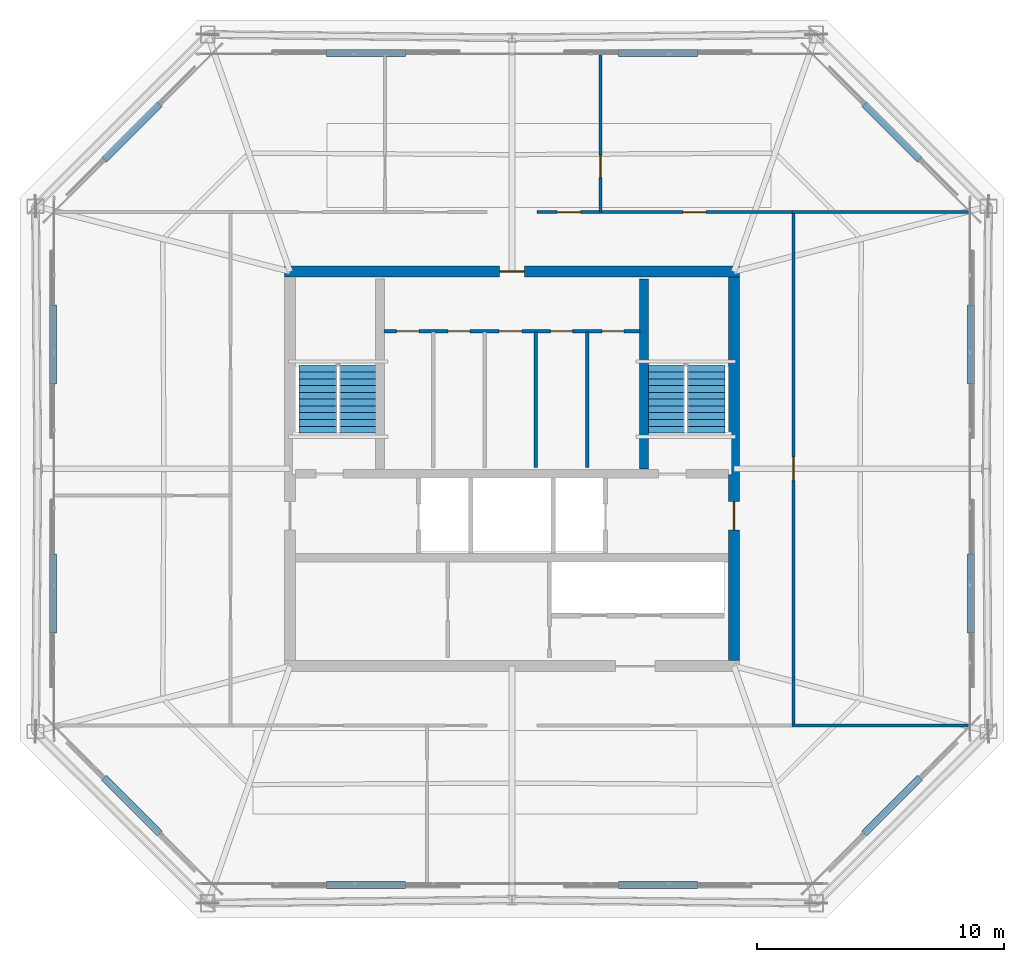
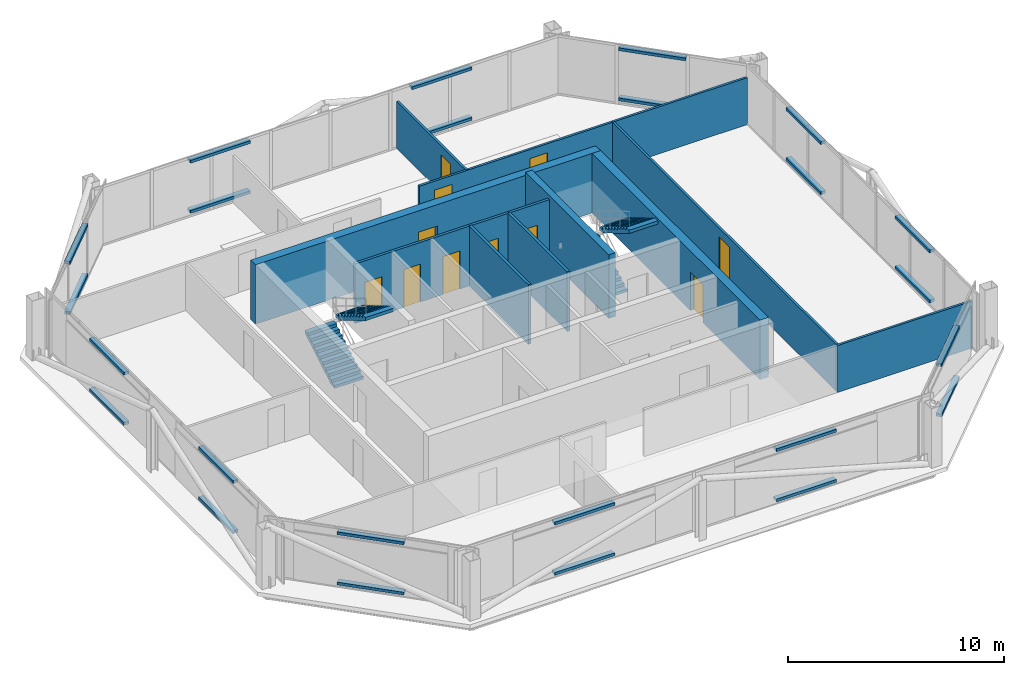
# One storey, part 24 of 26: 24 discrete accessories, 11 doors, 11 walls, 4 stair flights, 11 openings, 2 elements without a shape of their own.
"""IFC4 building model written with IfcOpenShell, lengths in metres."""

from ifc_helpers import new_model, si_unit, direction, frame, frame_2d, origin, origin_2d, place, context, subcontext, project, spatial, polyline, rectangle, outline, extrude, material, layer, layer_set, type_object, element, fill, aggregate, save


model = new_model("IFC4")

# Units and contexts
model_context = context("Model", 3, precision=1e-05, world=origin(), true_north=direction((0.0, 1.0)))
body_context = subcontext(model_context, "Body", "Model", "MODEL_VIEW")
ifc_project = project(units=[si_unit("LENGTHUNIT", "METRE"), si_unit("AREAUNIT", "SQUARE_METRE"), si_unit("VOLUMEUNIT", "CUBIC_METRE"), si_unit("PLANEANGLEUNIT", "RADIAN"), si_unit("MASSUNIT", "GRAM", prefix="KILO")], contexts=[model_context])

# Site, building, storey
site_placement = place(None, origin())
site = spatial("IfcSite", under=ifc_project, at=site_placement, CompositionType="ELEMENT")
building_placement = place(site_placement, origin())
building = spatial("IfcBuilding", under=site, at=building_placement, Name="Caelvoria Tower", CompositionType="ELEMENT")
storey_placement = place(building_placement, frame((0.0, 0.0, 239.39990234375)))
storey = spatial("IfcBuildingStorey", under=building, at=storey_placement, Name="L63", CompositionType="ELEMENT", Elevation=239.39990234375)

# Walls
ifc_material_1 = material(Name="Concrete C50/60", Category="concrete")
ifc_layer_1 = layer(ifc_material_1, 0.35009765625, Name="Concrete C50/60")
ifc_layer_set_1 = layer_set([ifc_layer_1], Name="Core Internal Shear Wall 350 - Concrete C50/60")
wall_type_1 = type_object("IfcWallType", Name="Core Internal Shear Wall 350", PredefinedType="SHEAR", material=ifc_layer_set_1)
wall_1_placement = place(storey_placement, frame((51.35009765625, 32.0, 0.0), z_axis=(0.0, 0.0, 1.0), x_axis=(0.0, 1.0, 0.0)))
element("IfcWall", 1, at=wall_1_placement, inside=storey, type_object=wall_type_1, Name="Interior Partition IW-L63-ST2W", PredefinedType="SHEAR", context=body_context, shape_type="SweptSolid", body=[
    extrude(rectangle(XDim=7.699951171875, YDim=0.35009765625, at=frame_2d((3.85009765625, 0.0))), origin(), (0.0, 0.0, 1.0), 3.60009765625),
])
ifc_material_2 = material(Name="Moisture-Resistant Gypsum on Steel Stud", Category="steel")
ifc_layer_2 = layer(ifc_material_2, 0.139892578125, Name="Moisture-Resistant Gypsum on Steel Stud")
ifc_layer_set_2 = layer_set([ifc_layer_2], Name="Core Sanitary Acoustic Partition Wall 140 - Moisture-Resistant Gypsum on Steel Stud")
wall_type_2 = type_object("IfcWallType", Name="Core Sanitary Acoustic Partition Wall 140", PredefinedType="PARTITIONING", material=ifc_layer_set_2)
for number, where, z_axis, x_axis, name in (
    (2, (46.969970703125, 32.050048828125, 0.0), (0.0, 0.0, 1.0), (0.0, 1.0, 0.0), "Interior Partition IW-L63-C1V2"),
    (3, (49.050048828125, 32.050048828125, 0.0), (0.0, 0.0, 1.0), (0.0, 1.0, 0.0), "Interior Partition IW-L63-C1V3"),
):
    element("IfcWall", number, at=place(storey_placement, frame(where, z_axis=z_axis, x_axis=x_axis)), inside=storey, type_object=wall_type_2, Name=name, PredefinedType="PARTITIONING", context=body_context, shape_type="SweptSolid", body=[
        extrude(rectangle(XDim=5.5, YDim=0.139892578125, at=frame_2d((2.75, 0.0))), origin(), (0.0, 0.0, 1.0), 3.375),
    ])

# Wall, openings, doors
wall_2_placement = place(storey_placement, frame((40.800048828125, 37.580078125, 0.0), z_axis=(0.0, 0.0, 1.0), x_axis=(1.0, 0.0, 0.0)))
wall_2 = element("IfcWall", 4, at=wall_2_placement, inside=storey, type_object=wall_type_2, Name="Interior Partition IW-L63-C1H", PredefinedType="PARTITIONING", context=body_context, shape_type="SweptSolid", body=[
    extrude(rectangle(XDim=10.39990234375, YDim=0.139892578125, at=frame_2d((5.199951171875, 0.0))), origin(), (0.0, 0.0, 1.0), 3.375),
])
opening_1_placement = place(wall_2_placement, frame((0.52001953125, 0.0, 0.0)))
opening_1 = element("IfcOpeningElement", 5, at=opening_1_placement, cuts=wall_2, Name="Opening ID-06", PredefinedType="OPENING", context=body_context, shape_type="SweptSolid", body=[
    extrude(rectangle(XDim=0.89990234375, YDim=2.14990234375, at=frame_2d((0.449951171875, 1.074951171875))), frame((0.0, 0.079833984375, 0.0), z_axis=(0.0, -1.0, 0.0), x_axis=(1.0, 0.0, 0.0)), (0.0, 0.0, 1.0), 0.159912109375),
])
opening_2_placement = place(wall_2_placement, frame((2.60009765625, 0.0, 0.0)))
opening_2 = element("IfcOpeningElement", 6, at=opening_2_placement, cuts=wall_2, Name="Opening ID-06", PredefinedType="OPENING", context=body_context, shape_type="SweptSolid", body=[
    extrude(rectangle(XDim=0.89990234375, YDim=2.14990234375, at=frame_2d((0.449951171875, 1.074951171875))), frame((0.0, 0.079833984375, 0.0), z_axis=(0.0, -1.0, 0.0), x_axis=(1.0, 0.0, 0.0)), (0.0, 0.0, 1.0), 0.159912109375),
])
opening_3_placement = place(wall_2_placement, frame((4.679931640625, 0.0, 0.0)))
opening_3 = element("IfcOpeningElement", 7, at=opening_3_placement, cuts=wall_2, Name="Opening ID-07", PredefinedType="OPENING", context=body_context, shape_type="SweptSolid", body=[
    extrude(rectangle(XDim=0.919921875, YDim=2.14990234375, at=frame_2d((0.4599609375, 1.074951171875))), frame((0.0, 0.079833984375, 0.0), z_axis=(0.0, -1.0, 0.0), x_axis=(1.0, 0.0, 0.0)), (0.0, 0.0, 1.0), 0.159912109375),
])
opening_4_placement = place(wall_2_placement, frame((6.760009765625, 0.0, 0.0)))
opening_4 = element("IfcOpeningElement", 8, at=opening_4_placement, cuts=wall_2, Name="Opening ID-06", PredefinedType="OPENING", context=body_context, shape_type="SweptSolid", body=[
    extrude(rectangle(XDim=0.89990234375, YDim=2.14990234375, at=frame_2d((0.449951171875, 1.074951171875))), frame((0.0, 0.079833984375, 0.0), z_axis=(0.0, -1.0, 0.0), x_axis=(1.0, 0.0, 0.0)), (0.0, 0.0, 1.0), 0.159912109375),
])
opening_5_placement = place(wall_2_placement, frame((8.840087890625, 0.0, 0.0)))
opening_5 = element("IfcOpeningElement", 9, at=opening_5_placement, cuts=wall_2, Name="Opening ID-06", PredefinedType="OPENING", context=body_context, shape_type="SweptSolid", body=[
    extrude(rectangle(XDim=0.89990234375, YDim=2.14990234375, at=frame_2d((0.449951171875, 1.074951171875))), frame((0.0, 0.079833984375, 0.0), z_axis=(0.0, -1.0, 0.0), x_axis=(1.0, 0.0, 0.0)), (0.0, 0.0, 1.0), 0.159912109375),
])
ifc_material_3 = material(Name="Engineered Andean Oak Accessible Door", Category="wood")
door_type_1 = type_object("IfcDoorType", Name="Accessible WC Door 950x2150", OperationType="NOTDEFINED", PredefinedType="DOOR", material=ifc_material_3)
door_1_placement = place(opening_3_placement, origin())
door_1 = element("IfcDoor", 10, at=door_1_placement, inside=storey, type_object=door_type_1, Name="Interior Door DR-L63-C1-3", OperationType="SINGLE_SWING_LEFT", OverallHeight=2.14990234375, OverallWidth=0.919921875, PredefinedType="DOOR", context=body_context, shape_type="SweptSolid", body=[
    extrude(rectangle(XDim=0.919921875, YDim=2.14990234375, at=frame_2d((0.4599609375, 1.074951171875))), frame((0.0, 0.02490234375, 0.0), z_axis=(0.0, -1.0, 0.0), x_axis=(1.0, 0.0, 0.0)), (0.0, 0.0, 1.0), 0.050048828125),
])
fill(opening_3, door_1)
ifc_material_4 = material(Name="Engineered Andean Oak Veneer Door", Category="wood")
door_type_2 = type_object("IfcDoorType", Name="Interior Timber Door 900x2150", OperationType="NOTDEFINED", PredefinedType="DOOR", material=ifc_material_4)
door_2_placement = place(opening_1_placement, origin())
door_2 = element("IfcDoor", 11, at=door_2_placement, inside=storey, type_object=door_type_2, Name="Interior Door DR-L63-C1-1", OperationType="SINGLE_SWING_LEFT", OverallHeight=2.14990234375, OverallWidth=0.89990234375, PredefinedType="DOOR", context=body_context, shape_type="SweptSolid", body=[
    extrude(rectangle(XDim=0.89990234375, YDim=2.14990234375, at=frame_2d((0.449951171875, 1.074951171875))), frame((0.0, 0.02490234375, 0.0), z_axis=(0.0, -1.0, 0.0), x_axis=(1.0, 0.0, 0.0)), (0.0, 0.0, 1.0), 0.050048828125),
])
fill(opening_1, door_2)
door_3_placement = place(opening_2_placement, origin())
door_3 = element("IfcDoor", 12, at=door_3_placement, inside=storey, type_object=door_type_2, Name="Interior Door DR-L63-C1-2", OperationType="SINGLE_SWING_RIGHT", OverallHeight=2.14990234375, OverallWidth=0.89990234375, PredefinedType="DOOR", context=body_context, shape_type="SweptSolid", body=[
    extrude(rectangle(XDim=0.89990234375, YDim=2.14990234375, at=frame_2d((0.449951171875, 1.074951171875))), frame((0.0, 0.02490234375, 0.0), z_axis=(0.0, -1.0, 0.0), x_axis=(1.0, 0.0, 0.0)), (0.0, 0.0, 1.0), 0.050048828125),
])
fill(opening_2, door_3)
door_4_placement = place(opening_4_placement, origin())
door_4 = element("IfcDoor", 13, at=door_4_placement, inside=storey, type_object=door_type_2, Name="Interior Door DR-L63-C1-4", OperationType="SINGLE_SWING_RIGHT", OverallHeight=2.14990234375, OverallWidth=0.89990234375, PredefinedType="DOOR", context=body_context, shape_type="SweptSolid", body=[
    extrude(rectangle(XDim=0.89990234375, YDim=2.14990234375, at=frame_2d((0.449951171875, 1.074951171875))), frame((0.0, 0.02490234375, 0.0), z_axis=(0.0, -1.0, 0.0), x_axis=(1.0, 0.0, 0.0)), (0.0, 0.0, 1.0), 0.050048828125),
])
fill(opening_4, door_4)
door_5_placement = place(opening_5_placement, origin())
door_5 = element("IfcDoor", 14, at=door_5_placement, inside=storey, type_object=door_type_2, Name="Interior Door DR-L63-C1-5", OperationType="SINGLE_SWING_LEFT", OverallHeight=2.14990234375, OverallWidth=0.89990234375, PredefinedType="DOOR", context=body_context, shape_type="SweptSolid", body=[
    extrude(rectangle(XDim=0.89990234375, YDim=2.14990234375, at=frame_2d((0.449951171875, 1.074951171875))), frame((0.0, 0.02490234375, 0.0), z_axis=(0.0, -1.0, 0.0), x_axis=(1.0, 0.0, 0.0)), (0.0, 0.0, 1.0), 0.050048828125),
])
fill(opening_5, door_5)

# Wall, opening, door
ifc_material_5 = material(Name="Acoustic Gypsum Board on Light-Gauge Stud", Category="gypsum")
ifc_layer_3 = layer(ifc_material_5, 0.1201171875, Name="Acoustic Gypsum Board on Light-Gauge Stud")
ifc_layer_set_3 = layer_set([ifc_layer_3], Name="Tenant Suite Acoustic Partition Wall 120 - Acoustic Gypsum Board on Light-Gauge Stud")
wall_type_3 = type_object("IfcWallType", Name="Tenant Suite Acoustic Partition Wall 120", PredefinedType="PARTITIONING", material=ifc_layer_set_3)
wall_3_placement = place(storey_placement, frame((49.589599609375, 42.409912109375, 0.0), z_axis=(0.0, 0.0, 1.0), x_axis=(0.0, 1.0, 0.0)))
wall_3 = element("IfcWall", 15, at=wall_3_placement, inside=storey, type_object=wall_type_3, Name="Interior Partition IW-L63-ND-01-0", PredefinedType="PARTITIONING", context=body_context, shape_type="SweptSolid", body=[
    extrude(rectangle(XDim=6.41015625, YDim=0.1201171875, at=frame_2d((3.205078125, 0.0))), origin(), (0.0, 0.0, 1.0), 2.655029296875),
])
opening_6_placement = place(wall_3_placement, frame((1.39990234375, 0.0, 0.0)))
opening_6 = element("IfcOpeningElement", 16, at=opening_6_placement, cuts=wall_3, Name="Opening ID-06", PredefinedType="OPENING", context=body_context, shape_type="SweptSolid", body=[
    extrude(rectangle(XDim=0.89990234375, YDim=2.14990234375, at=frame_2d((0.449951171875, 1.074951171875))), frame((0.0, 0.070068359375, 0.0), z_axis=(0.0, -1.0, 0.0), x_axis=(1.0, 0.0, 0.0)), (0.0, 0.0, 1.0), 0.14013671875),
])
door_6_placement = place(opening_6_placement, origin())
door_6 = element("IfcDoor", 17, at=door_6_placement, inside=storey, type_object=door_type_2, Name="Interior Door DR-L63-NM-01-0", OperationType="SINGLE_SWING_LEFT", OverallHeight=2.14990234375, OverallWidth=0.89990234375, PredefinedType="DOOR", context=body_context, shape_type="SweptSolid", body=[
    extrude(rectangle(XDim=0.89990234375, YDim=2.14990234375, at=frame_2d((0.449951171875, 1.074951171875))), frame((0.0, 0.02490234375, 0.0), z_axis=(0.0, -1.0, 0.0), x_axis=(1.0, 0.0, 0.0)), (0.0, 0.0, 1.0), 0.050048828125),
])
fill(opening_6, door_6)

# Wall, openings, doors
wall_4_placement = place(storey_placement, frame((47.02001953125, 42.409912109375, 0.0), z_axis=(0.0, 0.0, 1.0), x_axis=(1.0, 0.0, 0.0)))
wall_4 = element("IfcWall", 18, at=wall_4_placement, inside=storey, type_object=wall_type_3, Name="Interior Partition IW-L63-NCW-1", PredefinedType="PARTITIONING", context=body_context, shape_type="SweptSolid", body=[
    extrude(rectangle(XDim=10.330078125, YDim=0.1201171875, at=frame_2d((5.1650390625, 0.0))), origin(), (0.0, 0.0, 1.0), 2.655029296875),
])
opening_7_placement = place(wall_4_placement, frame((0.809814453125, 0.0, 0.0)))
opening_7 = element("IfcOpeningElement", 19, at=opening_7_placement, cuts=wall_4, Name="Opening ID-05", PredefinedType="OPENING", context=body_context, shape_type="SweptSolid", body=[
    extrude(rectangle(XDim=0.949951171875, YDim=2.14990234375, at=frame_2d((0.47509765625, 1.074951171875))), frame((0.0, 0.070068359375, 0.0), z_axis=(0.0, -1.0, 0.0), x_axis=(1.0, 0.0, 0.0)), (0.0, 0.0, 1.0), 0.14013671875),
])
opening_8_placement = place(wall_4_placement, frame((5.90478515625, 0.0, 0.0)))
opening_8 = element("IfcOpeningElement", 20, at=opening_8_placement, cuts=wall_4, Name="Opening ID-05", PredefinedType="OPENING", context=body_context, shape_type="SweptSolid", body=[
    extrude(rectangle(XDim=0.949951171875, YDim=2.14990234375, at=frame_2d((0.47509765625, 1.074951171875))), frame((0.0, 0.070068359375, 0.0), z_axis=(0.0, -1.0, 0.0), x_axis=(1.0, 0.0, 0.0)), (0.0, 0.0, 1.0), 0.14013671875),
])
door_type_3 = type_object("IfcDoorType", Name="Interior Timber Door 950x2150", OperationType="NOTDEFINED", PredefinedType="DOOR", material=ifc_material_4)
door_7_placement = place(opening_7_placement, origin())
door_7 = element("IfcDoor", 21, at=door_7_placement, inside=storey, type_object=door_type_3, Name="Interior Door DR-L63-NC-01-1", OperationType="SINGLE_SWING_RIGHT", OverallHeight=2.14990234375, OverallWidth=0.949951171875, PredefinedType="DOOR", context=body_context, shape_type="SweptSolid", body=[
    extrude(rectangle(XDim=0.949951171875, YDim=2.14990234375, at=frame_2d((0.47509765625, 1.074951171875))), frame((0.0, 0.02490234375, 0.0), z_axis=(0.0, -1.0, 0.0), x_axis=(1.0, 0.0, 0.0)), (0.0, 0.0, 1.0), 0.050048828125),
])
fill(opening_7, door_7)
door_8_placement = place(opening_8_placement, origin())
door_8 = element("IfcDoor", 22, at=door_8_placement, inside=storey, type_object=door_type_3, Name="Interior Door DR-L63-NC-02-0", OperationType="SINGLE_SWING_RIGHT", OverallHeight=2.14990234375, OverallWidth=0.949951171875, PredefinedType="DOOR", context=body_context, shape_type="SweptSolid", body=[
    extrude(rectangle(XDim=0.949951171875, YDim=2.14990234375, at=frame_2d((0.47509765625, 1.074951171875))), frame((0.0, 0.02490234375, 0.0), z_axis=(0.0, -1.0, 0.0), x_axis=(1.0, 0.0, 0.0)), (0.0, 0.0, 1.0), 0.050048828125),
])
fill(opening_8, door_8)

# Wall, opening, door
wall_5_placement = place(storey_placement, frame((57.409912109375, 21.64990234375, 0.0), z_axis=(0.0, 0.0, 1.0), x_axis=(0.0, 1.0, 0.0)))
wall_5 = element("IfcWall", 23, at=wall_5_placement, inside=storey, type_object=wall_type_3, Name="Interior Partition IW-L63-ECW-0", PredefinedType="PARTITIONING", context=body_context, shape_type="SweptSolid", body=[
    extrude(rectangle(XDim=20.7001953125, YDim=0.1201171875, at=frame_2d((10.35009765625, 0.0))), origin(), (0.0, 0.0, 1.0), 2.655029296875),
])
opening_9_placement = place(wall_5_placement, frame((9.875, 0.0, 0.0)))
opening_9 = element("IfcOpeningElement", 24, at=opening_9_placement, cuts=wall_5, Name="Opening ID-05", PredefinedType="OPENING", context=body_context, shape_type="SweptSolid", body=[
    extrude(rectangle(XDim=0.949951171875, YDim=2.14990234375, at=frame_2d((0.47509765625, 1.074951171875))), frame((0.0, 0.070068359375, 0.0), z_axis=(0.0, -1.0, 0.0), x_axis=(1.0, 0.0, 0.0)), (0.0, 0.0, 1.0), 0.14013671875),
])
door_9_placement = place(opening_9_placement, origin())
door_9 = element("IfcDoor", 25, at=door_9_placement, inside=storey, type_object=door_type_3, Name="Interior Door DR-L63-EC-00-0", OperationType="SINGLE_SWING_RIGHT", OverallHeight=2.14990234375, OverallWidth=0.949951171875, PredefinedType="DOOR", context=body_context, shape_type="SweptSolid", body=[
    extrude(rectangle(XDim=0.949951171875, YDim=2.14990234375, at=frame_2d((0.47509765625, 1.074951171875))), frame((0.0, 0.02490234375, 0.0), z_axis=(0.0, -1.0, 0.0), x_axis=(1.0, 0.0, 0.0)), (0.0, 0.0, 1.0), 0.050048828125),
])
fill(opening_9, door_9)

# Walls
for number, where, z_axis, x_axis, name in (
    (26, (57.35009765625, 21.590087890625, 0.0), (0.0, 0.0, 1.0), (1.0, 0.0, 0.0), "Interior Partition IW-L63-BSE-0"),
    (27, (57.35009765625, 42.409912109375, 0.0), (0.0, 0.0, 1.0), (1.0, 0.0, 0.0), "Interior Partition IW-L63-BNE-0"),
):
    element("IfcWall", number, at=place(storey_placement, frame(where, z_axis=z_axis, x_axis=x_axis)), inside=storey, type_object=wall_type_3, Name=name, PredefinedType="PARTITIONING", context=body_context, shape_type="SweptSolid", body=[
        extrude(rectangle(XDim=7.219970703125, YDim=0.1201171875, at=frame_2d((3.60986328125, 0.0))), origin(), (0.0, 0.0, 1.0), 2.655029296875),
    ])

# Wall, opening, door
ifc_layer_4 = layer(ifc_material_1, 0.449951171875, Name="Concrete C50/60")
ifc_layer_set_4 = layer_set([ifc_layer_4], Name="Upper Core Shear Wall 450 - Concrete C50/60")
wall_type_4 = type_object("IfcWallType", Name="Upper Core Shear Wall 450", PredefinedType="SHEAR", material=ifc_layer_set_4)
wall_6_placement = place(storey_placement, frame((36.77490234375, 40.0, 0.0), z_axis=(0.0, 0.0, 1.0), x_axis=(1.0, 0.0, 0.0)))
wall_6 = element("IfcWall", 28, at=wall_6_placement, inside=storey, type_object=wall_type_4, Name="Core Shear Wall L63 N", PredefinedType="SHEAR", context=body_context, shape_type="SweptSolid", body=[
    extrude(rectangle(XDim=18.4501953125, YDim=0.449951171875, at=frame_2d((9.22509765625, 0.0))), origin(), (0.0, 0.0, 1.0), 3.360107421875),
])
opening_10_placement = place(wall_6_placement, frame((8.72509765625, 0.0, 0.0)))
opening_10 = element("IfcOpeningElement", 29, at=opening_10_placement, cuts=wall_6, Name="Opening ID-03", PredefinedType="OPENING", context=body_context, shape_type="SweptSolid", body=[
    extrude(rectangle(XDim=1.0, YDim=2.14990234375, at=frame_2d((0.5, 1.074951171875))), frame((0.0, 0.23486328125, 0.0), z_axis=(0.0, -1.0, 0.0), x_axis=(1.0, 0.0, 0.0)), (0.0, 0.0, 1.0), 0.469970703125),
])
ifc_material_6 = material(Name="Painted Hollow Steel Fire Door", Category="steel")
door_type_4 = type_object("IfcDoorType", Name="Fire Door FD60S 1000x2150", OperationType="NOTDEFINED", PredefinedType="DOOR", material=ifc_material_6)
door_10_placement = place(opening_10_placement, origin())
door_10 = element("IfcDoor", 30, at=door_10_placement, inside=storey, type_object=door_type_4, Name="Core Door DR-L63-WC-MAIN", OperationType="SINGLE_SWING_RIGHT", OverallHeight=2.14990234375, OverallWidth=1.0, PredefinedType="DOOR", context=body_context, shape_type="SweptSolid", body=[
    extrude(rectangle(XDim=1.0, YDim=2.14990234375, at=frame_2d((0.5, 1.074951171875))), frame((0.0, 0.02490234375, 0.0), z_axis=(0.0, -1.0, 0.0), x_axis=(1.0, 0.0, 0.0)), (0.0, 0.0, 1.0), 0.050048828125),
])
fill(opening_10, door_10)

wall_7_placement = place(storey_placement, frame((55.0, 24.22509765625, 0.0), z_axis=(0.0, 0.0, 1.0), x_axis=(0.0, 1.0, 0.0)))
wall_7 = element("IfcWall", 31, at=wall_7_placement, inside=storey, type_object=wall_type_4, Name="Core Shear Wall L63 E", PredefinedType="SHEAR", context=body_context, shape_type="SweptSolid", body=[
    extrude(rectangle(XDim=15.5498046875, YDim=0.449951171875, at=frame_2d((7.77490234375, 0.0))), origin(), (0.0, 0.0, 1.0), 3.360107421875),
])
opening_11_placement = place(wall_7_placement, frame((5.300048828125, 0.0, 0.0)))
opening_11 = element("IfcOpeningElement", 32, at=opening_11_placement, cuts=wall_7, Name="Opening ID-02", PredefinedType="OPENING", context=body_context, shape_type="SweptSolid", body=[
    extrude(rectangle(XDim=1.14990234375, YDim=2.14990234375, at=frame_2d((0.574951171875, 1.074951171875))), frame((0.0, 0.23486328125, 0.0), z_axis=(0.0, -1.0, 0.0), x_axis=(1.0, 0.0, 0.0)), (0.0, 0.0, 1.0), 0.469970703125),
])
door_type_5 = type_object("IfcDoorType", Name="Fire Door FD60S 1150x2150", OperationType="NOTDEFINED", PredefinedType="DOOR", material=ifc_material_6)
door_11_placement = place(opening_11_placement, origin())
door_11 = element("IfcDoor", 33, at=door_11_placement, inside=storey, type_object=door_type_5, Name="Core Door DR-L63-FFLE-OUT", OperationType="SINGLE_SWING_RIGHT", OverallHeight=2.14990234375, OverallWidth=1.14990234375, PredefinedType="DOOR", context=body_context, shape_type="SweptSolid", body=[
    extrude(rectangle(XDim=1.14990234375, YDim=2.14990234375, at=frame_2d((0.574951171875, 1.074951171875))), frame((0.0, 0.02490234375, 0.0), z_axis=(0.0, -1.0, 0.0), x_axis=(1.0, 0.0, 0.0)), (0.0, 0.0, 1.0), 0.050048828125),
])
fill(opening_11, door_11)

# Stair, stair flights
ifc_material_7 = material(Name="Concrete C40/50", Category="concrete")
stair_type = type_object("IfcStairType", Name="Core Smokeproof Dogleg Stair Concrete C40/50", PredefinedType="HALF_TURN_STAIR", material=ifc_material_7)
stair_1_placement = place(storey_placement, origin())
stair_1 = element("IfcStair", 34, at=stair_1_placement, inside=storey, type_object=stair_type, Name="ST-01 Smokeproof Exit Stair L63", PredefinedType="HALF_TURN_STAIR")
ifc_material_8 = material(Name="Precast Concrete C40/50", Category="concrete")
stair_flight_type = type_object("IfcStairFlightType", Name="Precast Concrete C40/50 Stair Flight 1480", PredefinedType="STRAIGHT", material=ifc_material_8)
stair_flight_1_placement = place(storey_placement, frame((38.1298828125, 33.449951171875, 0.0), z_axis=(0.0, 0.0, 1.0), x_axis=(0.0, 1.0, 0.0)))
stair_flight_1 = element("IfcStairFlight", 35, at=stair_flight_1_placement, type_object=stair_flight_type, Name="ST-01 flight 1", NumberOfRisers=11, NumberOfTreads=10, PredefinedType="STRAIGHT", RiserHeight=0.1636, TreadLength=0.275, context=body_context, shape_type="SweptSolid", body=[
    extrude(outline(polyline([(0.0, 0.0), (0.0, 0.16357421875), (0.27490234375, 0.16357421875), (0.27490234375, 0.3271484375), (0.550048828125, 0.3271484375), (0.550048828125, 0.49072265625), (0.824951171875, 0.49072265625), (0.824951171875, 0.654296875), (1.10009765625, 0.654296875), (1.10009765625, 0.818115234375), (1.375, 0.818115234375), (1.375, 0.981689453125), (1.64990234375, 0.981689453125), (1.64990234375, 1.145263671875), (1.925048828125, 1.145263671875), (1.925048828125, 1.308837890625), (2.199951171875, 1.308837890625), (2.199951171875, 1.472412109375), (2.47509765625, 1.472412109375), (2.47509765625, 1.635986328125), (2.75, 1.635986328125), (2.75, 1.799560546875), (2.75, 1.449951171875), (0.312744140625, 0.0), (0.0, 0.0)])), frame((0.0, 0.77001953125, 0.0), z_axis=(0.0, -1.0, 0.0), x_axis=(1.0, 0.0, 0.0)), (0.0, 0.0, 1.0), 1.5400390625),
])
stair_flight_2_placement = place(storey_placement, frame((39.77001953125, 36.199951171875, 1.800048828125), z_axis=(0.0, 0.0, 1.0), x_axis=(0.0, -1.0, 0.0)))
stair_flight_2 = element("IfcStairFlight", 36, at=stair_flight_2_placement, type_object=stair_flight_type, Name="ST-01 flight 2", NumberOfRisers=11, NumberOfTreads=10, PredefinedType="STRAIGHT", RiserHeight=0.1636, TreadLength=0.275, context=body_context, shape_type="SweptSolid", body=[
    extrude(outline(polyline([(0.0, 0.0), (0.0, 0.16357421875), (0.27490234375, 0.16357421875), (0.27490234375, 0.3271484375), (0.550048828125, 0.3271484375), (0.550048828125, 0.49072265625), (0.824951171875, 0.49072265625), (0.824951171875, 0.654296875), (1.10009765625, 0.654296875), (1.10009765625, 0.818115234375), (1.375, 0.818115234375), (1.375, 0.981689453125), (1.64990234375, 0.981689453125), (1.64990234375, 1.145263671875), (1.925048828125, 1.145263671875), (1.925048828125, 1.308837890625), (2.199951171875, 1.308837890625), (2.199951171875, 1.472412109375), (2.47509765625, 1.472412109375), (2.47509765625, 1.635986328125), (2.75, 1.635986328125), (2.75, 1.799560546875), (2.75, 1.449951171875), (0.312744140625, 0.0), (0.0, 0.0)])), frame((0.0, 0.77001953125, 0.0), z_axis=(0.0, -1.0, 0.0), x_axis=(1.0, 0.0, 0.0)), (0.0, 0.0, 1.0), 1.5400390625),
])
aggregate(stair_1, [stair_flight_1, stair_flight_2])

stair_2_placement = place(storey_placement, origin())
stair_2 = element("IfcStair", 37, at=stair_2_placement, inside=storey, type_object=stair_type, Name="ST-02 Smokeproof Exit Stair L63", PredefinedType="HALF_TURN_STAIR")
stair_flight_3_placement = place(storey_placement, frame((52.22998046875, 33.449951171875, 0.0), z_axis=(0.0, 0.0, 1.0), x_axis=(0.0, 1.0, 0.0)))
stair_flight_3 = element("IfcStairFlight", 38, at=stair_flight_3_placement, type_object=stair_flight_type, Name="ST-02 flight 1", NumberOfRisers=11, NumberOfTreads=10, PredefinedType="STRAIGHT", RiserHeight=0.1636, TreadLength=0.275, context=body_context, shape_type="SweptSolid", body=[
    extrude(outline(polyline([(0.0, 0.0), (0.0, 0.16357421875), (0.27490234375, 0.16357421875), (0.27490234375, 0.3271484375), (0.550048828125, 0.3271484375), (0.550048828125, 0.49072265625), (0.824951171875, 0.49072265625), (0.824951171875, 0.654296875), (1.10009765625, 0.654296875), (1.10009765625, 0.818115234375), (1.375, 0.818115234375), (1.375, 0.981689453125), (1.64990234375, 0.981689453125), (1.64990234375, 1.145263671875), (1.925048828125, 1.145263671875), (1.925048828125, 1.308837890625), (2.199951171875, 1.308837890625), (2.199951171875, 1.472412109375), (2.47509765625, 1.472412109375), (2.47509765625, 1.635986328125), (2.75, 1.635986328125), (2.75, 1.799560546875), (2.75, 1.449951171875), (0.312744140625, 0.0), (0.0, 0.0)])), frame((0.0, 0.77001953125, 0.0), z_axis=(0.0, -1.0, 0.0), x_axis=(1.0, 0.0, 0.0)), (0.0, 0.0, 1.0), 1.5400390625),
])
stair_flight_4_placement = place(storey_placement, frame((53.8701171875, 36.199951171875, 1.800048828125), z_axis=(0.0, 0.0, 1.0), x_axis=(0.0, -1.0, 0.0)))
stair_flight_4 = element("IfcStairFlight", 39, at=stair_flight_4_placement, type_object=stair_flight_type, Name="ST-02 flight 2", NumberOfRisers=11, NumberOfTreads=10, PredefinedType="STRAIGHT", RiserHeight=0.1636, TreadLength=0.275, context=body_context, shape_type="SweptSolid", body=[
    extrude(outline(polyline([(0.0, 0.0), (0.0, 0.16357421875), (0.27490234375, 0.16357421875), (0.27490234375, 0.3271484375), (0.550048828125, 0.3271484375), (0.550048828125, 0.49072265625), (0.824951171875, 0.49072265625), (0.824951171875, 0.654296875), (1.10009765625, 0.654296875), (1.10009765625, 0.818115234375), (1.375, 0.818115234375), (1.375, 0.981689453125), (1.64990234375, 0.981689453125), (1.64990234375, 1.145263671875), (1.925048828125, 1.145263671875), (1.925048828125, 1.308837890625), (2.199951171875, 1.308837890625), (2.199951171875, 1.472412109375), (2.47509765625, 1.472412109375), (2.47509765625, 1.635986328125), (2.75, 1.635986328125), (2.75, 1.799560546875), (2.75, 1.449951171875), (0.312744140625, 0.0), (0.0, 0.0)])), frame((0.0, 0.77001953125, 0.0), z_axis=(0.0, -1.0, 0.0), x_axis=(1.0, 0.0, 0.0)), (0.0, 0.0, 1.0), 1.5400390625),
])
aggregate(stair_2, [stair_flight_3, stair_flight_4])

# Discrete accessories
ifc_material_9 = material(Name="Anodised Bronze Stainless Bracket", Category="bronze")
discrete_accessory_type = type_object("IfcDiscreteAccessoryType", Name="Solar Screen Outrigger Support Bracket", PredefinedType="BRACKET", material=ifc_material_9)
for number, where, z_axis, x_axis, name in (
    (40, (40.074951171875, 15.130615234375, 0.240234375), (0.0, 0.0, 1.0), (1.0, 0.0, 0.0), "Solar Screen Bracket L63-E0-00"),
    (41, (40.074951171875, 15.130615234375, 3.0751953125), (0.0, 0.0, 1.0), (1.0, 0.0, 0.0), "Upper Screen Band Bracket L63-E0-00"),
    (42, (51.925048828125, 15.130615234375, 0.240234375), (0.0, 0.0, 1.0), (1.0, 0.0, 0.0), "Solar Screen Bracket L63-E0-01"),
    (43, (51.925048828125, 15.130615234375, 3.0751953125), (0.0, 0.0, 1.0), (1.0, 0.0, 0.0), "Upper Screen Band Bracket L63-E0-01"),
    (44, (61.4091796875, 18.3408203125, 0.240234375), (0.0, 0.0, 1.0), (0.707106781187, 0.707106781187, 0.0), "Solar Screen Bracket L63-E1-00"),
    (45, (61.4091796875, 18.3408203125, 3.0751953125), (0.0, 0.0, 1.0), (0.707106781187, 0.707106781187, 0.0), "Upper Screen Band Bracket L63-E1-00"),
    (46, (64.619384765625, 26.949951171875, 0.240234375), (0.0, 0.0, 1.0), (0.0, 1.0, 0.0), "Solar Screen Bracket L63-E2-00"),
    (47, (64.619384765625, 26.949951171875, 3.0751953125), (0.0, 0.0, 1.0), (0.0, 1.0, 0.0), "Upper Screen Band Bracket L63-E2-00"),
    (48, (64.619384765625, 37.050048828125, 0.240234375), (0.0, 0.0, 1.0), (0.0, 1.0, 0.0), "Solar Screen Bracket L63-E2-01"),
    (49, (64.619384765625, 37.050048828125, 3.0751953125), (0.0, 0.0, 1.0), (0.0, 1.0, 0.0), "Upper Screen Band Bracket L63-E2-01"),
    (50, (61.4091796875, 45.6591796875, 0.240234375), (0.0, 0.0, 1.0), (-0.707106781187, 0.707106781187, 0.0), "Solar Screen Bracket L63-E3-00"),
    (51, (61.4091796875, 45.6591796875, 3.0751953125), (0.0, 0.0, 1.0), (-0.707106781187, 0.707106781187, 0.0), "Upper Screen Band Bracket L63-E3-00"),
    (52, (51.925048828125, 48.869384765625, 0.240234375), (0.0, 0.0, 1.0), (-1.0, 0.0, 0.0), "Solar Screen Bracket L63-E4-00"),
    (53, (51.925048828125, 48.869384765625, 3.0751953125), (0.0, 0.0, 1.0), (-1.0, 0.0, 0.0), "Upper Screen Band Bracket L63-E4-00"),
    (54, (40.074951171875, 48.869384765625, 0.240234375), (0.0, 0.0, 1.0), (-1.0, 0.0, 0.0), "Solar Screen Bracket L63-E4-01"),
    (55, (40.074951171875, 48.869384765625, 3.0751953125), (0.0, 0.0, 1.0), (-1.0, 0.0, 0.0), "Upper Screen Band Bracket L63-E4-01"),
    (56, (30.5908203125, 45.6591796875, 0.240234375), (0.0, 0.0, 1.0), (-0.707106781187, -0.707106781187, 0.0), "Solar Screen Bracket L63-E5-00"),
    (57, (30.5908203125, 45.6591796875, 3.0751953125), (0.0, 0.0, 1.0), (-0.707106781187, -0.707106781187, 0.0), "Upper Screen Band Bracket L63-E5-00"),
    (58, (27.380615234375, 37.050048828125, 0.240234375), (0.0, 0.0, 1.0), (0.0, -1.0, 0.0), "Solar Screen Bracket L63-E6-00"),
    (59, (27.380615234375, 37.050048828125, 3.0751953125), (0.0, 0.0, 1.0), (0.0, -1.0, 0.0), "Upper Screen Band Bracket L63-E6-00"),
    (60, (27.380615234375, 26.949951171875, 0.240234375), (0.0, 0.0, 1.0), (0.0, -1.0, 0.0), "Solar Screen Bracket L63-E6-01"),
    (61, (27.380615234375, 26.949951171875, 3.0751953125), (0.0, 0.0, 1.0), (0.0, -1.0, 0.0), "Upper Screen Band Bracket L63-E6-01"),
    (62, (30.5908203125, 18.3408203125, 0.240234375), (0.0, 0.0, 1.0), (0.707106781187, -0.707106781187, 0.0), "Solar Screen Bracket L63-E7-00"),
    (63, (30.5908203125, 18.3408203125, 3.0751953125), (0.0, 0.0, 1.0), (0.707106781187, -0.707106781187, 0.0), "Upper Screen Band Bracket L63-E7-00"),
):
    element("IfcDiscreteAccessory", number, at=place(storey_placement, frame(where, z_axis=z_axis, x_axis=x_axis)), inside=storey, type_object=discrete_accessory_type, Name=name, PredefinedType="BRACKET", context=body_context, shape_type="SweptSolid", body=[
        extrude(rectangle(XDim=3.199951171875, YDim=0.280029296875, at=origin_2d()), origin(), (0.0, 0.0, 1.0), 0.159912109375),
    ])

save(model, "model.ifc")
